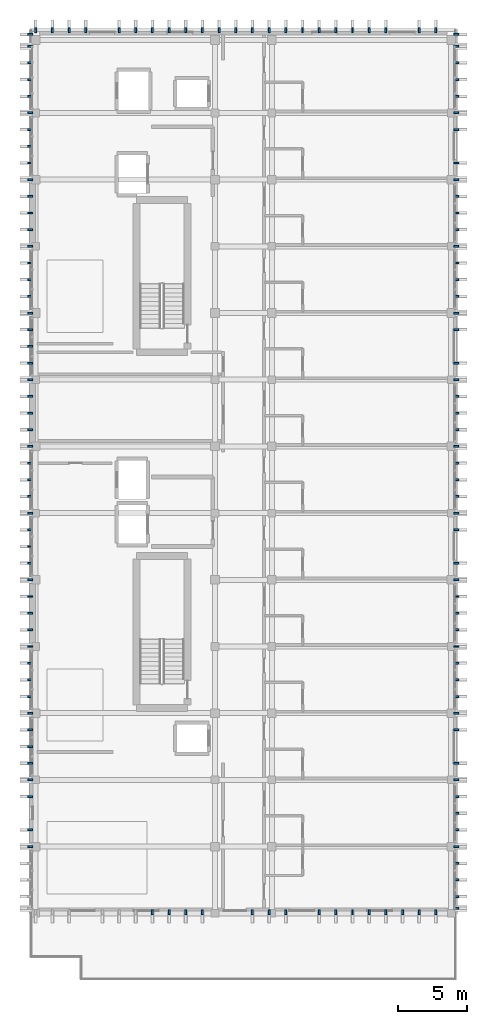
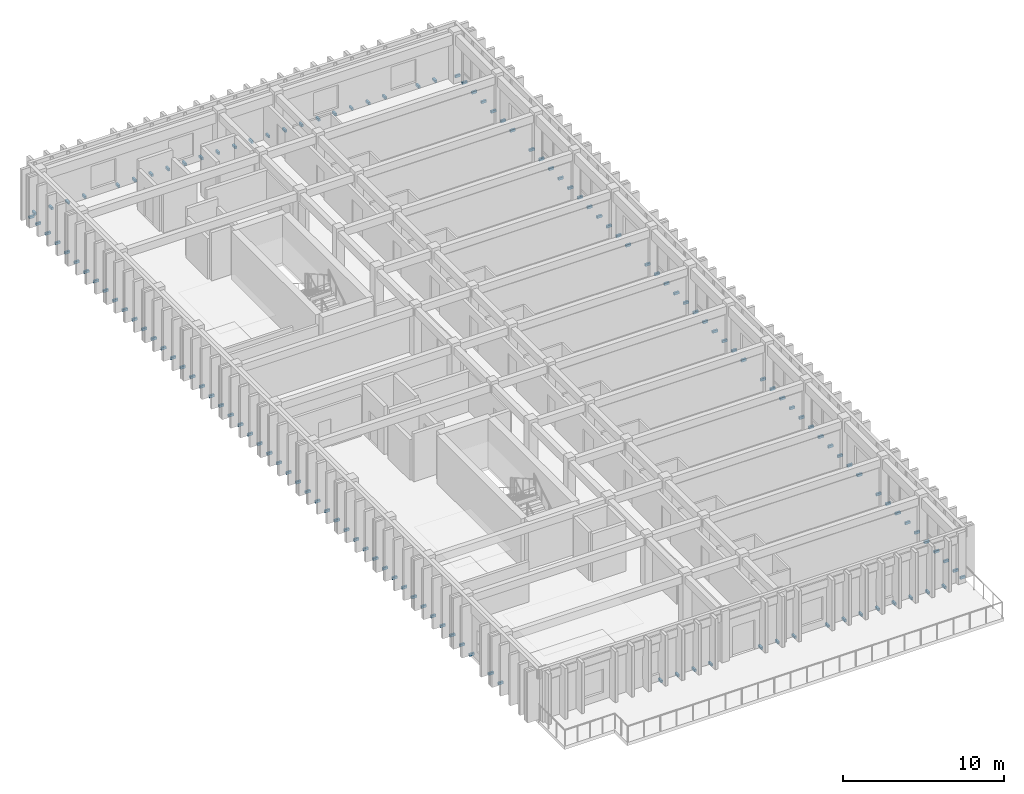
# One storey, part 45 of 50: 137 discrete accessories.
"""IFC4 building model written with IfcOpenShell, lengths in metres."""

from ifc_helpers import new_model, si_unit, direction, frame, origin, origin_2d, place, context, subcontext, project, spatial, rectangle, extrude, material, type_object, element, save


model = new_model("IFC4")

# Units and contexts
model_context = context("Model", 3, precision=1e-05, world=origin(), true_north=direction((0.0, 1.0)))
body_context = subcontext(model_context, "Body", "Model", "MODEL_VIEW")
ifc_project = project(units=[si_unit("LENGTHUNIT", "METRE"), si_unit("AREAUNIT", "SQUARE_METRE"), si_unit("VOLUMEUNIT", "CUBIC_METRE"), si_unit("PLANEANGLEUNIT", "RADIAN"), si_unit("MASSUNIT", "GRAM", prefix="KILO")], contexts=[model_context])

# Site, building, storey
site_placement = place(None, origin())
site = spatial("IfcSite", under=ifc_project, at=site_placement, CompositionType="ELEMENT")
building_placement = place(site_placement, origin())
building = spatial("IfcBuilding", under=site, at=building_placement, Name="Nakhvara Creek Congress Hotel", CompositionType="ELEMENT")
storey_placement = place(building_placement, frame((0.0, 0.0, 42.60009765625)))
storey = spatial("IfcBuildingStorey", under=building, at=storey_placement, Name="L10", CompositionType="ELEMENT", Elevation=42.60009765625)

# Discrete accessories
ifc_material = material(Name="Brushed stainless steel 316L", Category="steel")
discrete_accessory_type = type_object("IfcDiscreteAccessoryType", Name="ACC-BRK-SS316", PredefinedType="BRACKET", material=ifc_material)
for number, where, z_axis, x_axis, name in (
    (1, (179.72998046875, 62.75, -0.10986328125), (0.0, 0.0, 1.0), (0.0, 1.0, 0.0), "Stainless Fin Bracket BK01-2157"),
    (2, (179.72998046875, 63.60009765625, -0.10986328125), (0.0, 0.0, 1.0), (0.0, 1.0, 0.0), "Stainless Fin Bracket BK01-2159"),
    (3, (179.72998046875, 64.800048828125, -0.10986328125), (0.0, 0.0, 1.0), (0.0, 1.0, 0.0), "Stainless Fin Bracket BK01-2161"),
    (4, (179.72998046875, 66.0, -0.10986328125), (0.0, 0.0, 1.0), (0.0, 1.0, 0.0), "Stainless Fin Bracket BK01-2163"),
    (5, (179.72998046875, 67.199951171875, -0.10986328125), (0.0, 0.0, 1.0), (0.0, 1.0, 0.0), "Stainless Fin Bracket BK01-2165"),
    (6, (149.070068359375, 67.199951171875, -0.10986328125), (0.0, 0.0, 1.0), (0.0, 1.0, 0.0), "Stainless Fin Bracket BK01-2166"),
    (7, (179.72998046875, 68.39990234375, -0.10986328125), (0.0, 0.0, 1.0), (0.0, 1.0, 0.0), "Stainless Fin Bracket BK01-2167"),
    (8, (149.070068359375, 68.39990234375, -0.10986328125), (0.0, 0.0, 1.0), (0.0, 1.0, 0.0), "Stainless Fin Bracket BK01-2168"),
    (9, (179.72998046875, 69.60009765625, -0.10986328125), (0.0, 0.0, 1.0), (0.0, 1.0, 0.0), "Stainless Fin Bracket BK01-2169"),
    (10, (179.72998046875, 70.800048828125, -0.10986328125), (0.0, 0.0, 1.0), (0.0, 1.0, 0.0), "Stainless Fin Bracket BK01-2170"),
    (11, (149.070068359375, 70.800048828125, -0.10986328125), (0.0, 0.0, 1.0), (0.0, 1.0, 0.0), "Stainless Fin Bracket BK01-2171"),
    (12, (179.72998046875, 72.0, -0.10986328125), (0.0, 0.0, 1.0), (0.0, 1.0, 0.0), "Stainless Fin Bracket BK01-2172"),
    (13, (149.070068359375, 72.0, -0.10986328125), (0.0, 0.0, 1.0), (0.0, 1.0, 0.0), "Stainless Fin Bracket BK01-2173"),
    (14, (179.72998046875, 73.199951171875, -0.10986328125), (0.0, 0.0, 1.0), (0.0, 1.0, 0.0), "Stainless Fin Bracket BK01-2174"),
    (15, (149.070068359375, 73.199951171875, -0.10986328125), (0.0, 0.0, 1.0), (0.0, 1.0, 0.0), "Stainless Fin Bracket BK01-2175"),
    (16, (149.070068359375, 74.39990234375, -0.10986328125), (0.0, 0.0, 1.0), (0.0, 1.0, 0.0), "Stainless Fin Bracket BK01-2176"),
    (17, (179.72998046875, 75.60009765625, -0.10986328125), (0.0, 0.0, 1.0), (0.0, 1.0, 0.0), "Stainless Fin Bracket BK01-2177"),
    (18, (149.070068359375, 75.60009765625, -0.10986328125), (0.0, 0.0, 1.0), (0.0, 1.0, 0.0), "Stainless Fin Bracket BK01-2178"),
    (19, (179.72998046875, 76.800048828125, -0.10986328125), (0.0, 0.0, 1.0), (0.0, 1.0, 0.0), "Stainless Fin Bracket BK01-2179"),
    (20, (149.070068359375, 76.800048828125, -0.10986328125), (0.0, 0.0, 1.0), (0.0, 1.0, 0.0), "Stainless Fin Bracket BK01-2180"),
    (21, (179.72998046875, 78.0, -0.10986328125), (0.0, 0.0, 1.0), (0.0, 1.0, 0.0), "Stainless Fin Bracket BK01-2181"),
    (22, (149.070068359375, 78.0, -0.10986328125), (0.0, 0.0, 1.0), (0.0, 1.0, 0.0), "Stainless Fin Bracket BK01-2182"),
    (23, (179.72998046875, 79.199951171875, -0.10986328125), (0.0, 0.0, 1.0), (0.0, 1.0, 0.0), "Stainless Fin Bracket BK01-2183"),
    (24, (149.070068359375, 79.199951171875, -0.10986328125), (0.0, 0.0, 1.0), (0.0, 1.0, 0.0), "Stainless Fin Bracket BK01-2184"),
    (25, (179.72998046875, 80.39990234375, -0.10986328125), (0.0, 0.0, 1.0), (0.0, 1.0, 0.0), "Stainless Fin Bracket BK01-2185"),
    (26, (149.070068359375, 80.39990234375, -0.10986328125), (0.0, 0.0, 1.0), (0.0, 1.0, 0.0), "Stainless Fin Bracket BK01-2186"),
    (27, (179.72998046875, 81.60009765625, -0.10986328125), (0.0, 0.0, 1.0), (0.0, 1.0, 0.0), "Stainless Fin Bracket BK01-2187"),
    (28, (149.070068359375, 81.60009765625, -0.10986328125), (0.0, 0.0, 1.0), (0.0, 1.0, 0.0), "Stainless Fin Bracket BK01-2188"),
    (29, (179.72998046875, 82.800048828125, -0.10986328125), (0.0, 0.0, 1.0), (0.0, 1.0, 0.0), "Stainless Fin Bracket BK01-2189"),
    (30, (149.070068359375, 82.800048828125, -0.10986328125), (0.0, 0.0, 1.0), (0.0, 1.0, 0.0), "Stainless Fin Bracket BK01-2190"),
    (31, (179.72998046875, 84.0, -0.10986328125), (0.0, 0.0, 1.0), (0.0, 1.0, 0.0), "Stainless Fin Bracket BK01-2191"),
    (32, (149.070068359375, 84.0, -0.10986328125), (0.0, 0.0, 1.0), (0.0, 1.0, 0.0), "Stainless Fin Bracket BK01-2192"),
    (33, (179.72998046875, 85.199951171875, -0.10986328125), (0.0, 0.0, 1.0), (0.0, 1.0, 0.0), "Stainless Fin Bracket BK01-2193"),
    (34, (149.070068359375, 85.199951171875, -0.10986328125), (0.0, 0.0, 1.0), (0.0, 1.0, 0.0), "Stainless Fin Bracket BK01-2194"),
    (35, (179.72998046875, 86.39990234375, -0.10986328125), (0.0, 0.0, 1.0), (0.0, 1.0, 0.0), "Stainless Fin Bracket BK01-2195"),
    (36, (149.070068359375, 86.39990234375, -0.10986328125), (0.0, 0.0, 1.0), (0.0, 1.0, 0.0), "Stainless Fin Bracket BK01-2196"),
    (37, (179.72998046875, 87.60009765625, -0.10986328125), (0.0, 0.0, 1.0), (0.0, 1.0, 0.0), "Stainless Fin Bracket BK01-2197"),
    (38, (149.070068359375, 87.60009765625, -0.10986328125), (0.0, 0.0, 1.0), (0.0, 1.0, 0.0), "Stainless Fin Bracket BK01-2198"),
    (39, (149.070068359375, 88.800048828125, -0.10986328125), (0.0, 0.0, 1.0), (0.0, 1.0, 0.0), "Stainless Fin Bracket BK01-2199"),
    (40, (179.72998046875, 90.0, -0.10986328125), (0.0, 0.0, 1.0), (0.0, 1.0, 0.0), "Stainless Fin Bracket BK01-2200"),
    (41, (149.070068359375, 90.0, -0.10986328125), (0.0, 0.0, 1.0), (0.0, 1.0, 0.0), "Stainless Fin Bracket BK01-2201"),
    (42, (179.72998046875, 91.199951171875, -0.10986328125), (0.0, 0.0, 1.0), (0.0, 1.0, 0.0), "Stainless Fin Bracket BK01-2202"),
    (43, (149.070068359375, 91.199951171875, -0.10986328125), (0.0, 0.0, 1.0), (0.0, 1.0, 0.0), "Stainless Fin Bracket BK01-2203"),
    (44, (179.72998046875, 92.39990234375, -0.10986328125), (0.0, 0.0, 1.0), (0.0, 1.0, 0.0), "Stainless Fin Bracket BK01-2204"),
    (45, (149.070068359375, 92.39990234375, -0.10986328125), (0.0, 0.0, 1.0), (0.0, 1.0, 0.0), "Stainless Fin Bracket BK01-2205"),
    (46, (179.72998046875, 93.60009765625, -0.10986328125), (0.0, 0.0, 1.0), (0.0, 1.0, 0.0), "Stainless Fin Bracket BK01-2206"),
    (47, (149.070068359375, 93.60009765625, -0.10986328125), (0.0, 0.0, 1.0), (0.0, 1.0, 0.0), "Stainless Fin Bracket BK01-2207"),
    (48, (179.72998046875, 94.800048828125, -0.10986328125), (0.0, 0.0, 1.0), (0.0, 1.0, 0.0), "Stainless Fin Bracket BK01-2208"),
    (49, (149.070068359375, 94.800048828125, -0.10986328125), (0.0, 0.0, 1.0), (0.0, 1.0, 0.0), "Stainless Fin Bracket BK01-2209"),
    (50, (179.72998046875, 96.0, -0.10986328125), (0.0, 0.0, 1.0), (0.0, 1.0, 0.0), "Stainless Fin Bracket BK01-2210"),
    (51, (149.070068359375, 96.0, -0.10986328125), (0.0, 0.0, 1.0), (0.0, 1.0, 0.0), "Stainless Fin Bracket BK01-2211"),
    (52, (179.72998046875, 97.199951171875, -0.10986328125), (0.0, 0.0, 1.0), (0.0, 1.0, 0.0), "Stainless Fin Bracket BK01-2212"),
    (53, (149.070068359375, 97.199951171875, -0.10986328125), (0.0, 0.0, 1.0), (0.0, 1.0, 0.0), "Stainless Fin Bracket BK01-2213"),
    (54, (179.72998046875, 98.39990234375, -0.10986328125), (0.0, 0.0, 1.0), (0.0, 1.0, 0.0), "Stainless Fin Bracket BK01-2214"),
    (55, (149.070068359375, 98.39990234375, -0.10986328125), (0.0, 0.0, 1.0), (0.0, 1.0, 0.0), "Stainless Fin Bracket BK01-2215"),
    (56, (179.72998046875, 99.60009765625, -0.10986328125), (0.0, 0.0, 1.0), (0.0, 1.0, 0.0), "Stainless Fin Bracket BK01-2216"),
    (57, (149.070068359375, 99.60009765625, -0.10986328125), (0.0, 0.0, 1.0), (0.0, 1.0, 0.0), "Stainless Fin Bracket BK01-2217"),
    (58, (179.72998046875, 100.800048828125, -0.10986328125), (0.0, 0.0, 1.0), (0.0, 1.0, 0.0), "Stainless Fin Bracket BK01-2218"),
    (59, (149.070068359375, 100.800048828125, -0.10986328125), (0.0, 0.0, 1.0), (0.0, 1.0, 0.0), "Stainless Fin Bracket BK01-2219"),
    (60, (179.72998046875, 102.0, -0.10986328125), (0.0, 0.0, 1.0), (0.0, 1.0, 0.0), "Stainless Fin Bracket BK01-2220"),
    (61, (149.070068359375, 102.0, -0.10986328125), (0.0, 0.0, 1.0), (0.0, 1.0, 0.0), "Stainless Fin Bracket BK01-2221"),
    (62, (149.070068359375, 103.199951171875, -0.10986328125), (0.0, 0.0, 1.0), (0.0, 1.0, 0.0), "Stainless Fin Bracket BK01-2222"),
    (63, (179.72998046875, 104.39990234375, -0.10986328125), (0.0, 0.0, 1.0), (0.0, 1.0, 0.0), "Stainless Fin Bracket BK01-2223"),
    (64, (149.070068359375, 104.39990234375, -0.10986328125), (0.0, 0.0, 1.0), (0.0, 1.0, 0.0), "Stainless Fin Bracket BK01-2224"),
    (65, (179.72998046875, 105.60009765625, -0.10986328125), (0.0, 0.0, 1.0), (0.0, 1.0, 0.0), "Stainless Fin Bracket BK01-2225"),
    (66, (149.070068359375, 105.60009765625, -0.10986328125), (0.0, 0.0, 1.0), (0.0, 1.0, 0.0), "Stainless Fin Bracket BK01-2226"),
    (67, (179.72998046875, 106.800048828125, -0.10986328125), (0.0, 0.0, 1.0), (0.0, 1.0, 0.0), "Stainless Fin Bracket BK01-2227"),
    (68, (149.070068359375, 106.800048828125, -0.10986328125), (0.0, 0.0, 1.0), (0.0, 1.0, 0.0), "Stainless Fin Bracket BK01-2228"),
    (69, (179.72998046875, 108.0, -0.10986328125), (0.0, 0.0, 1.0), (0.0, 1.0, 0.0), "Stainless Fin Bracket BK01-2229"),
    (70, (149.070068359375, 108.0, -0.10986328125), (0.0, 0.0, 1.0), (0.0, 1.0, 0.0), "Stainless Fin Bracket BK01-2230"),
    (71, (179.72998046875, 109.199951171875, -0.10986328125), (0.0, 0.0, 1.0), (0.0, 1.0, 0.0), "Stainless Fin Bracket BK01-2231"),
    (72, (149.070068359375, 109.199951171875, -0.10986328125), (0.0, 0.0, 1.0), (0.0, 1.0, 0.0), "Stainless Fin Bracket BK01-2232"),
    (73, (179.72998046875, 110.39990234375, -0.10986328125), (0.0, 0.0, 1.0), (0.0, 1.0, 0.0), "Stainless Fin Bracket BK01-2233"),
    (74, (149.070068359375, 110.39990234375, -0.10986328125), (0.0, 0.0, 1.0), (0.0, 1.0, 0.0), "Stainless Fin Bracket BK01-2234"),
    (75, (179.72998046875, 111.60009765625, -0.10986328125), (0.0, 0.0, 1.0), (0.0, 1.0, 0.0), "Stainless Fin Bracket BK01-2235"),
    (76, (149.070068359375, 111.60009765625, -0.10986328125), (0.0, 0.0, 1.0), (0.0, 1.0, 0.0), "Stainless Fin Bracket BK01-2236"),
    (77, (179.72998046875, 112.800048828125, -0.10986328125), (0.0, 0.0, 1.0), (0.0, 1.0, 0.0), "Stainless Fin Bracket BK01-2237"),
    (78, (149.070068359375, 112.800048828125, -0.10986328125), (0.0, 0.0, 1.0), (0.0, 1.0, 0.0), "Stainless Fin Bracket BK01-2238"),
    (79, (179.72998046875, 114.0, -0.10986328125), (0.0, 0.0, 1.0), (0.0, 1.0, 0.0), "Stainless Fin Bracket BK01-2239"),
    (80, (149.070068359375, 114.0, -0.10986328125), (0.0, 0.0, 1.0), (0.0, 1.0, 0.0), "Stainless Fin Bracket BK01-2240"),
    (81, (179.72998046875, 115.199951171875, -0.10986328125), (0.0, 0.0, 1.0), (0.0, 1.0, 0.0), "Stainless Fin Bracket BK01-2241"),
    (82, (149.070068359375, 115.199951171875, -0.10986328125), (0.0, 0.0, 1.0), (0.0, 1.0, 0.0), "Stainless Fin Bracket BK01-2242"),
    (83, (179.72998046875, 116.39990234375, -0.10986328125), (0.0, 0.0, 1.0), (0.0, 1.0, 0.0), "Stainless Fin Bracket BK01-2243"),
    (84, (149.070068359375, 116.39990234375, -0.10986328125), (0.0, 0.0, 1.0), (0.0, 1.0, 0.0), "Stainless Fin Bracket BK01-2244"),
    (85, (149.070068359375, 117.60009765625, -0.10986328125), (0.0, 0.0, 1.0), (0.0, 1.0, 0.0), "Stainless Fin Bracket BK01-2245"),
    (86, (179.72998046875, 118.800048828125, -0.10986328125), (0.0, 0.0, 1.0), (0.0, 1.0, 0.0), "Stainless Fin Bracket BK01-2246"),
    (87, (149.070068359375, 118.800048828125, -0.10986328125), (0.0, 0.0, 1.0), (0.0, 1.0, 0.0), "Stainless Fin Bracket BK01-2247"),
    (88, (179.72998046875, 120.0, -0.10986328125), (0.0, 0.0, 1.0), (0.0, 1.0, 0.0), "Stainless Fin Bracket BK01-2248"),
    (89, (149.070068359375, 120.0, -0.10986328125), (0.0, 0.0, 1.0), (0.0, 1.0, 0.0), "Stainless Fin Bracket BK01-2249"),
    (90, (179.72998046875, 121.199951171875, -0.10986328125), (0.0, 0.0, 1.0), (0.0, 1.0, 0.0), "Stainless Fin Bracket BK01-2250"),
    (91, (149.070068359375, 121.199951171875, -0.10986328125), (0.0, 0.0, 1.0), (0.0, 1.0, 0.0), "Stainless Fin Bracket BK01-2251"),
    (92, (179.72998046875, 122.39990234375, -0.10986328125), (0.0, 0.0, 1.0), (0.0, 1.0, 0.0), "Stainless Fin Bracket BK01-2252"),
    (93, (149.070068359375, 122.39990234375, -0.10986328125), (0.0, 0.0, 1.0), (0.0, 1.0, 0.0), "Stainless Fin Bracket BK01-2253"),
    (94, (179.72998046875, 123.60009765625, -0.10986328125), (0.0, 0.0, 1.0), (0.0, 1.0, 0.0), "Stainless Fin Bracket BK01-2254"),
    (95, (149.070068359375, 123.60009765625, -0.10986328125), (0.0, 0.0, 1.0), (0.0, 1.0, 0.0), "Stainless Fin Bracket BK01-2255"),
    (96, (179.72998046875, 124.800048828125, -0.10986328125), (0.0, 0.0, 1.0), (0.0, 1.0, 0.0), "Stainless Fin Bracket BK01-2256"),
    (97, (149.070068359375, 124.800048828125, -0.10986328125), (0.0, 0.0, 1.0), (0.0, 1.0, 0.0), "Stainless Fin Bracket BK01-2257"),
    (98, (179.72998046875, 125.64990234375, -0.10986328125), (0.0, 0.0, 1.0), (0.0, 1.0, 0.0), "Stainless Fin Bracket BK01-2258"),
    (99, (149.070068359375, 125.64990234375, -0.10986328125), (0.0, 0.0, 1.0), (0.0, 1.0, 0.0), "Stainless Fin Bracket BK01-2259"),
    (100, (149.449951171875, 125.93994140625, -0.10986328125), (0.0, 0.0, 1.0), (1.0, 0.0, 0.0), "Stainless Fin Bracket BK01-2260"),
    (101, (150.64990234375, 125.93994140625, -0.10986328125), (0.0, 0.0, 1.0), (1.0, 0.0, 0.0), "Stainless Fin Bracket BK01-2262"),
    (102, (151.85009765625, 125.93994140625, -0.10986328125), (0.0, 0.0, 1.0), (1.0, 0.0, 0.0), "Stainless Fin Bracket BK01-2264"),
    (103, (153.050048828125, 125.93994140625, -0.10986328125), (0.0, 0.0, 1.0), (1.0, 0.0, 0.0), "Stainless Fin Bracket BK01-2266"),
    (104, (155.449951171875, 125.93994140625, -0.10986328125), (0.0, 0.0, 1.0), (1.0, 0.0, 0.0), "Stainless Fin Bracket BK01-2268"),
    (105, (156.64990234375, 125.93994140625, -0.10986328125), (0.0, 0.0, 1.0), (1.0, 0.0, 0.0), "Stainless Fin Bracket BK01-2270"),
    (106, (157.85009765625, 125.93994140625, -0.10986328125), (0.0, 0.0, 1.0), (1.0, 0.0, 0.0), "Stainless Fin Bracket BK01-2272"),
    (107, (157.85009765625, 62.4599609375, -0.10986328125), (0.0, 0.0, 1.0), (1.0, 0.0, 0.0), "Stainless Fin Bracket BK01-2273"),
    (108, (159.050048828125, 125.93994140625, -0.10986328125), (0.0, 0.0, 1.0), (1.0, 0.0, 0.0), "Stainless Fin Bracket BK01-2274"),
    (109, (159.050048828125, 62.4599609375, -0.10986328125), (0.0, 0.0, 1.0), (1.0, 0.0, 0.0), "Stainless Fin Bracket BK01-2275"),
    (110, (160.25, 125.93994140625, -0.10986328125), (0.0, 0.0, 1.0), (1.0, 0.0, 0.0), "Stainless Fin Bracket BK01-2276"),
    (111, (160.25, 62.4599609375, -0.10986328125), (0.0, 0.0, 1.0), (1.0, 0.0, 0.0), "Stainless Fin Bracket BK01-2277"),
    (112, (161.449951171875, 125.93994140625, -0.10986328125), (0.0, 0.0, 1.0), (1.0, 0.0, 0.0), "Stainless Fin Bracket BK01-2278"),
    (113, (161.449951171875, 62.4599609375, -0.10986328125), (0.0, 0.0, 1.0), (1.0, 0.0, 0.0), "Stainless Fin Bracket BK01-2279"),
    (114, (162.64990234375, 125.93994140625, -0.10986328125), (0.0, 0.0, 1.0), (1.0, 0.0, 0.0), "Stainless Fin Bracket BK01-2280"),
    (115, (163.85009765625, 125.93994140625, -0.10986328125), (0.0, 0.0, 1.0), (1.0, 0.0, 0.0), "Stainless Fin Bracket BK01-2281"),
    (116, (165.050048828125, 125.93994140625, -0.10986328125), (0.0, 0.0, 1.0), (1.0, 0.0, 0.0), "Stainless Fin Bracket BK01-2282"),
    (117, (165.050048828125, 62.4599609375, -0.10986328125), (0.0, 0.0, 1.0), (1.0, 0.0, 0.0), "Stainless Fin Bracket BK01-2283"),
    (118, (166.25, 125.93994140625, -0.10986328125), (0.0, 0.0, 1.0), (1.0, 0.0, 0.0), "Stainless Fin Bracket BK01-2284"),
    (119, (166.25, 62.4599609375, -0.10986328125), (0.0, 0.0, 1.0), (1.0, 0.0, 0.0), "Stainless Fin Bracket BK01-2285"),
    (120, (167.449951171875, 125.93994140625, -0.10986328125), (0.0, 0.0, 1.0), (1.0, 0.0, 0.0), "Stainless Fin Bracket BK01-2286"),
    (121, (167.449951171875, 62.4599609375, -0.10986328125), (0.0, 0.0, 1.0), (1.0, 0.0, 0.0), "Stainless Fin Bracket BK01-2287"),
    (122, (168.64990234375, 125.93994140625, -0.10986328125), (0.0, 0.0, 1.0), (1.0, 0.0, 0.0), "Stainless Fin Bracket BK01-2288"),
    (123, (169.85009765625, 125.93994140625, -0.10986328125), (0.0, 0.0, 1.0), (1.0, 0.0, 0.0), "Stainless Fin Bracket BK01-2289"),
    (124, (169.85009765625, 62.4599609375, -0.10986328125), (0.0, 0.0, 1.0), (1.0, 0.0, 0.0), "Stainless Fin Bracket BK01-2290"),
    (125, (171.050048828125, 125.93994140625, -0.10986328125), (0.0, 0.0, 1.0), (1.0, 0.0, 0.0), "Stainless Fin Bracket BK01-2291"),
    (126, (171.050048828125, 62.4599609375, -0.10986328125), (0.0, 0.0, 1.0), (1.0, 0.0, 0.0), "Stainless Fin Bracket BK01-2292"),
    (127, (172.25, 125.93994140625, -0.10986328125), (0.0, 0.0, 1.0), (1.0, 0.0, 0.0), "Stainless Fin Bracket BK01-2293"),
    (128, (172.25, 62.4599609375, -0.10986328125), (0.0, 0.0, 1.0), (1.0, 0.0, 0.0), "Stainless Fin Bracket BK01-2294"),
    (129, (173.449951171875, 125.93994140625, -0.10986328125), (0.0, 0.0, 1.0), (1.0, 0.0, 0.0), "Stainless Fin Bracket BK01-2295"),
    (130, (173.449951171875, 62.4599609375, -0.10986328125), (0.0, 0.0, 1.0), (1.0, 0.0, 0.0), "Stainless Fin Bracket BK01-2296"),
    (131, (174.64990234375, 125.93994140625, -0.10986328125), (0.0, 0.0, 1.0), (1.0, 0.0, 0.0), "Stainless Fin Bracket BK01-2297"),
    (132, (174.64990234375, 62.4599609375, -0.10986328125), (0.0, 0.0, 1.0), (1.0, 0.0, 0.0), "Stainless Fin Bracket BK01-2298"),
    (133, (175.85009765625, 62.4599609375, -0.10986328125), (0.0, 0.0, 1.0), (1.0, 0.0, 0.0), "Stainless Fin Bracket BK01-2299"),
    (134, (177.050048828125, 125.93994140625, -0.10986328125), (0.0, 0.0, 1.0), (1.0, 0.0, 0.0), "Stainless Fin Bracket BK01-2300"),
    (135, (177.050048828125, 62.4599609375, -0.10986328125), (0.0, 0.0, 1.0), (1.0, 0.0, 0.0), "Stainless Fin Bracket BK01-2301"),
    (136, (178.25, 125.93994140625, -0.10986328125), (0.0, 0.0, 1.0), (1.0, 0.0, 0.0), "Stainless Fin Bracket BK01-2302"),
    (137, (178.25, 62.4599609375, -0.10986328125), (0.0, 0.0, 1.0), (1.0, 0.0, 0.0), "Stainless Fin Bracket BK01-2303"),
):
    element("IfcDiscreteAccessory", number, at=place(storey_placement, frame(where, z_axis=z_axis, x_axis=x_axis)), inside=storey, type_object=discrete_accessory_type, Name=name, PredefinedType="BRACKET", context=body_context, shape_type="SweptSolid", body=[
        extrude(rectangle(XDim=0.139892578125, YDim=0.360107421875, at=origin_2d()), origin(), (0.0, 0.0, 1.0), 0.179931640625),
    ])

save(model, "model.ifc")
